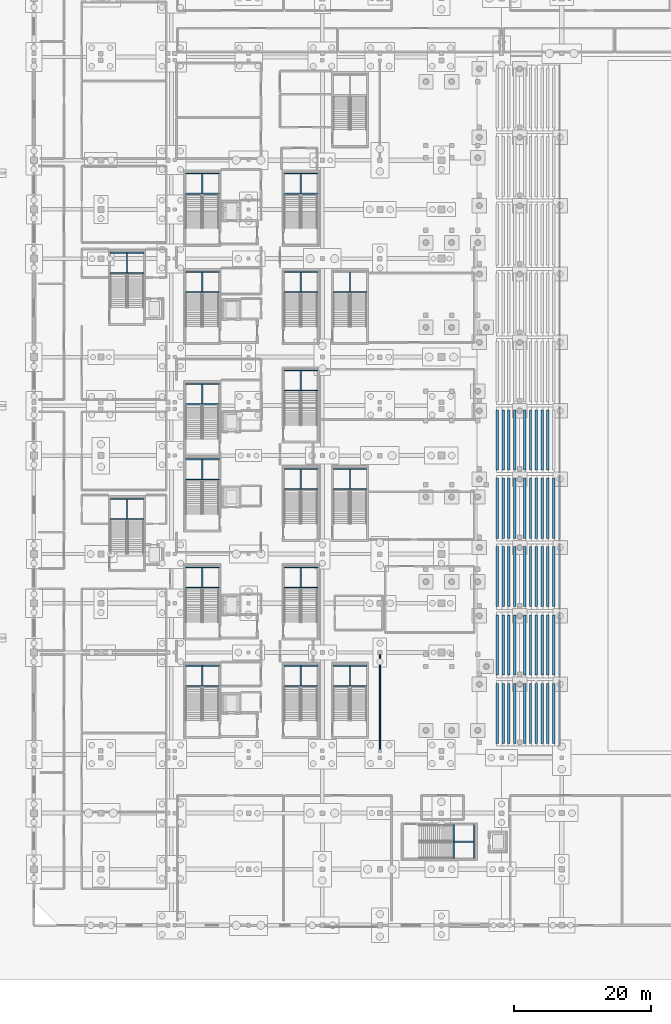
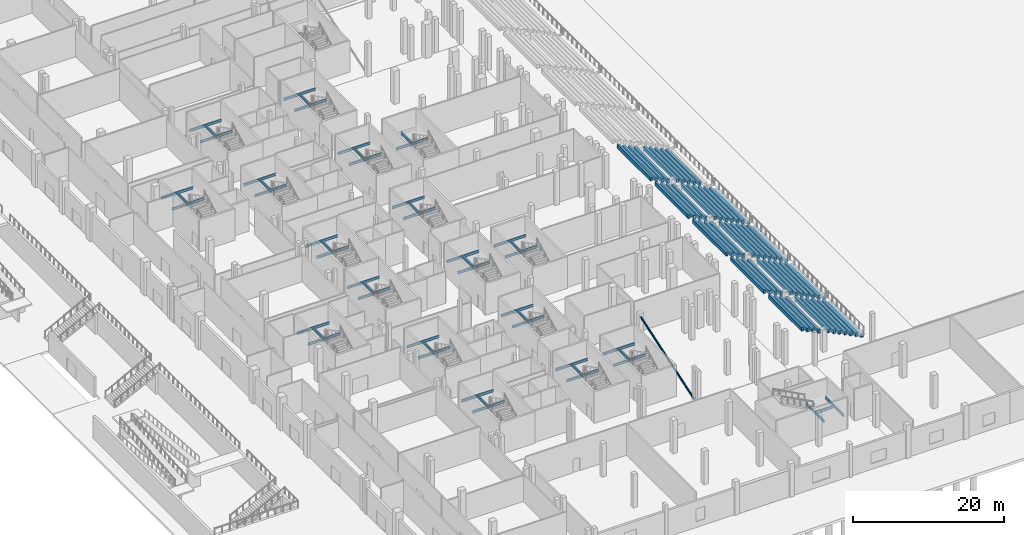
# One storey, part 20 of 89: 106 beams, 1 member.
"""IFC4 building model written with IfcOpenShell, lengths in metres."""

from ifc_helpers import new_model, si_unit, direction, frame, origin, origin_2d, place, context, subcontext, project, spatial, rectangle, hollow_circle, i_section, extrude, material, material_profile, profile_set, type_object, element, save


model = new_model("IFC4")

# Units and contexts
model_context = context("Model", 3, precision=1e-05, world=origin(), true_north=direction((0.0, 1.0)))
body_context = subcontext(model_context, "Body", "Model", "MODEL_VIEW")
ifc_project = project(units=[si_unit("LENGTHUNIT", "METRE"), si_unit("AREAUNIT", "SQUARE_METRE"), si_unit("VOLUMEUNIT", "CUBIC_METRE"), si_unit("PLANEANGLEUNIT", "RADIAN"), si_unit("MASSUNIT", "GRAM", prefix="KILO")], contexts=[model_context])

# Site, building, storey
site_placement = place(None, origin())
site = spatial("IfcSite", under=ifc_project, at=site_placement, CompositionType="ELEMENT")
building_placement = place(site_placement, origin())
building = spatial("IfcBuilding", under=site, at=building_placement, Name="Koshinbarg Plaza Stadium", CompositionType="ELEMENT")
storey_placement = place(building_placement, origin())
storey = spatial("IfcBuildingStorey", under=building, at=storey_placement, Name="L00", CompositionType="ELEMENT", Elevation=0.0)

# Beams
ifc_material_1 = material(Name="Concrete C40/50", Category="concrete")
ifc_material_profile_1 = material_profile(ifc_material_1, rectangle(XDim=0.35009765625, YDim=0.60009765625, at=origin_2d()), Name="RC 350x600")
ifc_profile_set_1 = profile_set([ifc_material_profile_1], Name="Concrete C40/50")
beam_type_1 = type_object("IfcBeamType", Name="BM-RCG-01", PredefinedType="SPANDREL", material=ifc_profile_set_1)
for number, where, z_axis, x_axis, name in (
    (1, (80.8798828125, 26.60009765625, 0.5), (0.0, 1.0, 0.0), (-1.0, 0.0, 0.0), "Lower tier seat bearer LT-W01-R01"),
    (2, (80.030029296875, 26.60009765625, 0.919921875), (0.0, 1.0, 0.0), (-1.0, 0.0, 0.0), "Lower tier seat bearer LT-W01-R02"),
    (3, (79.179931640625, 26.60009765625, 1.340087890625), (0.0, 1.0, 0.0), (-1.0, 0.0, 0.0), "Lower tier seat bearer LT-W01-R03"),
    (4, (78.330078125, 26.60009765625, 1.760009765625), (0.0, 1.0, 0.0), (-1.0, 0.0, 0.0), "Lower tier seat bearer LT-W01-R04"),
    (5, (77.47998046875, 26.60009765625, 2.179931640625), (0.0, 1.0, 0.0), (-1.0, 0.0, 0.0), "Lower tier seat bearer LT-W01-R05"),
    (6, (76.6298828125, 26.60009765625, 2.60009765625), (0.0, 1.0, 0.0), (-1.0, 0.0, 0.0), "Lower tier seat bearer LT-W01-R06"),
    (7, (75.780029296875, 26.60009765625, 3.02001953125), (0.0, 1.0, 0.0), (-1.0, 0.0, 0.0), "Lower tier seat bearer LT-W01-R07"),
    (8, (74.320068359375, 26.60009765625, 3.43994140625), (0.0, 1.0, 0.0), (-1.0, 0.0, 0.0), "Lower tier seat bearer LT-W01-R08"),
    (9, (73.469970703125, 26.60009765625, 3.860107421875), (0.0, 1.0, 0.0), (-1.0, 0.0, 0.0), "Lower tier seat bearer LT-W01-R09"),
    (10, (72.6201171875, 26.60009765625, 4.280029296875), (0.0, 1.0, 0.0), (-1.0, 0.0, 0.0), "Lower tier seat bearer LT-W01-R10"),
    (11, (71.77001953125, 26.60009765625, 4.699951171875), (0.0, 1.0, 0.0), (-1.0, 0.0, 0.0), "Lower tier seat bearer LT-W01-R11"),
    (12, (80.8798828125, 36.60009765625, 0.5), (0.0, 1.0, 0.0), (-1.0, 0.0, 0.0), "Lower tier seat bearer LT-W02-R01"),
    (13, (80.030029296875, 36.60009765625, 0.919921875), (0.0, 1.0, 0.0), (-1.0, 0.0, 0.0), "Lower tier seat bearer LT-W02-R02"),
    (14, (79.179931640625, 36.60009765625, 1.340087890625), (0.0, 1.0, 0.0), (-1.0, 0.0, 0.0), "Lower tier seat bearer LT-W02-R03"),
    (15, (78.330078125, 36.60009765625, 1.760009765625), (0.0, 1.0, 0.0), (-1.0, 0.0, 0.0), "Lower tier seat bearer LT-W02-R04"),
    (16, (77.47998046875, 36.60009765625, 2.179931640625), (0.0, 1.0, 0.0), (-1.0, 0.0, 0.0), "Lower tier seat bearer LT-W02-R05"),
    (17, (76.6298828125, 36.60009765625, 2.60009765625), (0.0, 1.0, 0.0), (-1.0, 0.0, 0.0), "Lower tier seat bearer LT-W02-R06"),
    (18, (75.780029296875, 36.60009765625, 3.02001953125), (0.0, 1.0, 0.0), (-1.0, 0.0, 0.0), "Lower tier seat bearer LT-W02-R07"),
    (19, (74.320068359375, 36.60009765625, 3.43994140625), (0.0, 1.0, 0.0), (-1.0, 0.0, 0.0), "Lower tier seat bearer LT-W02-R08"),
    (20, (73.469970703125, 36.60009765625, 3.860107421875), (0.0, 1.0, 0.0), (-1.0, 0.0, 0.0), "Lower tier seat bearer LT-W02-R09"),
    (21, (72.6201171875, 36.60009765625, 4.280029296875), (0.0, 1.0, 0.0), (-1.0, 0.0, 0.0), "Lower tier seat bearer LT-W02-R10"),
    (22, (71.77001953125, 36.60009765625, 4.699951171875), (0.0, 1.0, 0.0), (-1.0, 0.0, 0.0), "Lower tier seat bearer LT-W02-R11"),
    (23, (80.8798828125, 46.60009765625, 0.5), (0.0, 1.0, 0.0), (-1.0, 0.0, 0.0), "Lower tier seat bearer LT-W03-R01"),
    (24, (80.030029296875, 46.60009765625, 0.919921875), (0.0, 1.0, 0.0), (-1.0, 0.0, 0.0), "Lower tier seat bearer LT-W03-R02"),
    (25, (79.179931640625, 46.60009765625, 1.340087890625), (0.0, 1.0, 0.0), (-1.0, 0.0, 0.0), "Lower tier seat bearer LT-W03-R03"),
    (26, (78.330078125, 46.60009765625, 1.760009765625), (0.0, 1.0, 0.0), (-1.0, 0.0, 0.0), "Lower tier seat bearer LT-W03-R04"),
    (27, (77.47998046875, 46.60009765625, 2.179931640625), (0.0, 1.0, 0.0), (-1.0, 0.0, 0.0), "Lower tier seat bearer LT-W03-R05"),
    (28, (76.6298828125, 46.60009765625, 2.60009765625), (0.0, 1.0, 0.0), (-1.0, 0.0, 0.0), "Lower tier seat bearer LT-W03-R06"),
    (29, (75.780029296875, 46.60009765625, 3.02001953125), (0.0, 1.0, 0.0), (-1.0, 0.0, 0.0), "Lower tier seat bearer LT-W03-R07"),
    (30, (74.320068359375, 46.60009765625, 3.43994140625), (0.0, 1.0, 0.0), (-1.0, 0.0, 0.0), "Lower tier seat bearer LT-W03-R08"),
    (31, (73.469970703125, 46.60009765625, 3.860107421875), (0.0, 1.0, 0.0), (-1.0, 0.0, 0.0), "Lower tier seat bearer LT-W03-R09"),
    (32, (72.6201171875, 46.60009765625, 4.280029296875), (0.0, 1.0, 0.0), (-1.0, 0.0, 0.0), "Lower tier seat bearer LT-W03-R10"),
    (33, (71.77001953125, 46.60009765625, 4.699951171875), (0.0, 1.0, 0.0), (-1.0, 0.0, 0.0), "Lower tier seat bearer LT-W03-R11"),
    (34, (80.8798828125, 56.60009765625, 0.5), (0.0, 1.0, 0.0), (-1.0, 0.0, 0.0), "Lower tier seat bearer LT-W04-R01"),
    (35, (80.030029296875, 56.60009765625, 0.919921875), (0.0, 1.0, 0.0), (-1.0, 0.0, 0.0), "Lower tier seat bearer LT-W04-R02"),
    (36, (79.179931640625, 56.60009765625, 1.340087890625), (0.0, 1.0, 0.0), (-1.0, 0.0, 0.0), "Lower tier seat bearer LT-W04-R03"),
    (37, (78.330078125, 56.60009765625, 1.760009765625), (0.0, 1.0, 0.0), (-1.0, 0.0, 0.0), "Lower tier seat bearer LT-W04-R04"),
    (38, (77.47998046875, 56.60009765625, 2.179931640625), (0.0, 1.0, 0.0), (-1.0, 0.0, 0.0), "Lower tier seat bearer LT-W04-R05"),
    (39, (76.6298828125, 56.60009765625, 2.60009765625), (0.0, 1.0, 0.0), (-1.0, 0.0, 0.0), "Lower tier seat bearer LT-W04-R06"),
    (40, (75.780029296875, 56.60009765625, 3.02001953125), (0.0, 1.0, 0.0), (-1.0, 0.0, 0.0), "Lower tier seat bearer LT-W04-R07"),
    (41, (74.320068359375, 56.60009765625, 3.43994140625), (0.0, 1.0, 0.0), (-1.0, 0.0, 0.0), "Lower tier seat bearer LT-W04-R08"),
    (42, (73.469970703125, 56.60009765625, 3.860107421875), (0.0, 1.0, 0.0), (-1.0, 0.0, 0.0), "Lower tier seat bearer LT-W04-R09"),
    (43, (72.6201171875, 56.60009765625, 4.280029296875), (0.0, 1.0, 0.0), (-1.0, 0.0, 0.0), "Lower tier seat bearer LT-W04-R10"),
    (44, (71.77001953125, 56.60009765625, 4.699951171875), (0.0, 1.0, 0.0), (-1.0, 0.0, 0.0), "Lower tier seat bearer LT-W04-R11"),
    (45, (79.179931640625, 66.60009765625, 1.340087890625), (0.0, 1.0, 0.0), (-1.0, 0.0, 0.0), "Lower tier seat bearer LT-W05-R03"),
    (46, (78.330078125, 66.60009765625, 1.760009765625), (0.0, 1.0, 0.0), (-1.0, 0.0, 0.0), "Lower tier seat bearer LT-W05-R04"),
    (47, (77.47998046875, 66.60009765625, 2.179931640625), (0.0, 1.0, 0.0), (-1.0, 0.0, 0.0), "Lower tier seat bearer LT-W05-R05"),
    (48, (76.6298828125, 66.60009765625, 2.60009765625), (0.0, 1.0, 0.0), (-1.0, 0.0, 0.0), "Lower tier seat bearer LT-W05-R06"),
    (49, (75.780029296875, 66.60009765625, 3.02001953125), (0.0, 1.0, 0.0), (-1.0, 0.0, 0.0), "Lower tier seat bearer LT-W05-R07"),
    (50, (74.320068359375, 66.60009765625, 3.43994140625), (0.0, 1.0, 0.0), (-1.0, 0.0, 0.0), "Lower tier seat bearer LT-W05-R08"),
    (51, (73.469970703125, 66.60009765625, 3.860107421875), (0.0, 1.0, 0.0), (-1.0, 0.0, 0.0), "Lower tier seat bearer LT-W05-R09"),
    (52, (72.6201171875, 66.60009765625, 4.280029296875), (0.0, 1.0, 0.0), (-1.0, 0.0, 0.0), "Lower tier seat bearer LT-W05-R10"),
    (53, (71.77001953125, 66.60009765625, 4.699951171875), (0.0, 1.0, 0.0), (-1.0, 0.0, 0.0), "Lower tier seat bearer LT-W05-R11"),
):
    element("IfcBeam", number, at=place(storey_placement, frame(where, z_axis=z_axis, x_axis=x_axis)), inside=storey, type_object=beam_type_1, Name=name, PredefinedType="SPANDREL", context=body_context, shape_type="SweptSolid", body=[
        extrude(rectangle(XDim=0.35009765625, YDim=0.60009765625, at=origin_2d()), origin(), (0.0, 0.0, 1.0), 8.7998046875),
    ])
ifc_material_2 = material(Name="Steel S355", Category="steel")
ifc_material_profile_2 = material_profile(ifc_material_2, i_section(OverallWidth=0.179931640625, OverallDepth=0.39990234375, WebThickness=0.008544921875, FlangeThickness=0.013427734375, at=origin_2d()), Name="IPE 400")
ifc_profile_set_2 = profile_set([ifc_material_profile_2], Name="Steel S355")
beam_type_2 = type_object("IfcBeamType", Name="BM-SBM-01", PredefinedType="BEAM", material=ifc_profile_set_2)
for number, where, z_axis, x_axis, name in (
    (54, (26.14990234375, 35.010009765625, 2.179931640625), (1.0, 0.0, 0.0), (0.0, 1.0, 0.0), "L00 Protected Exit Stair C01 landing trimmer beam 1"),
    (55, (26.14990234375, 37.949951171875, 2.179931640625), (1.0, 0.0, 0.0), (0.0, 1.0, 0.0), "L00 Protected Exit Stair C01 landing trimmer beam 2"),
):
    element("IfcBeam", number, at=place(storey_placement, frame(where, z_axis=z_axis, x_axis=x_axis)), inside=storey, type_object=beam_type_2, Name=name, PredefinedType="BEAM", context=body_context, shape_type="SweptSolid", body=[
        extrude(i_section(OverallWidth=0.179931640625, OverallDepth=0.39990234375, WebThickness=0.008544921875, FlangeThickness=0.013427734375, at=origin_2d()), origin(), (0.0, 0.0, 1.0), 4.97021484375),
    ])
beam_1_placement = place(storey_placement, frame((28.635009765625, 35.010009765625, 2.179931640625), z_axis=(0.0, 1.0, 0.0), x_axis=(-1.0, 0.0, 0.0)))
element("IfcBeam", 56, at=beam_1_placement, inside=storey, type_object=beam_type_2, Name="L00 Protected Exit Stair C01 landing trimmer beam 3", PredefinedType="BEAM", context=body_context, shape_type="SweptSolid", body=[
    extrude(i_section(OverallWidth=0.179931640625, OverallDepth=0.39990234375, WebThickness=0.008544921875, FlangeThickness=0.013427734375, at=origin_2d()), origin(), (0.0, 0.0, 1.0), 2.93994140625),
])
for number, where, z_axis, x_axis, name in (
    (57, (26.14990234375, 49.409912109375, 2.179931640625), (1.0, 0.0, 0.0), (0.0, 1.0, 0.0), "L00 Protected Exit Stair C02 landing trimmer beam 1"),
    (58, (26.14990234375, 52.35009765625, 2.179931640625), (1.0, 0.0, 0.0), (0.0, 1.0, 0.0), "L00 Protected Exit Stair C02 landing trimmer beam 2"),
):
    element("IfcBeam", number, at=place(storey_placement, frame(where, z_axis=z_axis, x_axis=x_axis)), inside=storey, type_object=beam_type_2, Name=name, PredefinedType="BEAM", context=body_context, shape_type="SweptSolid", body=[
        extrude(i_section(OverallWidth=0.179931640625, OverallDepth=0.39990234375, WebThickness=0.008544921875, FlangeThickness=0.013427734375, at=origin_2d()), origin(), (0.0, 0.0, 1.0), 4.97021484375),
    ])
beam_2_placement = place(storey_placement, frame((28.635009765625, 49.409912109375, 2.179931640625), z_axis=(0.0, 1.0, 0.0), x_axis=(-1.0, 0.0, 0.0)))
element("IfcBeam", 59, at=beam_2_placement, inside=storey, type_object=beam_type_2, Name="L00 Protected Exit Stair C02 landing trimmer beam 3", PredefinedType="BEAM", context=body_context, shape_type="SweptSolid", body=[
    extrude(i_section(OverallWidth=0.179931640625, OverallDepth=0.39990234375, WebThickness=0.008544921875, FlangeThickness=0.013427734375, at=origin_2d()), origin(), (0.0, 0.0, 1.0), 2.940185546875),
])
for number, where, z_axis, x_axis, name in (
    (60, (26.14990234375, 65.2099609375, 2.179931640625), (1.0, 0.0, 0.0), (0.0, 1.0, 0.0), "L00 Protected Exit Stair C03 landing trimmer beam 1"),
    (61, (26.14990234375, 68.14990234375, 2.179931640625), (1.0, 0.0, 0.0), (0.0, 1.0, 0.0), "L00 Protected Exit Stair C03 landing trimmer beam 2"),
):
    element("IfcBeam", number, at=place(storey_placement, frame(where, z_axis=z_axis, x_axis=x_axis)), inside=storey, type_object=beam_type_2, Name=name, PredefinedType="BEAM", context=body_context, shape_type="SweptSolid", body=[
        extrude(i_section(OverallWidth=0.179931640625, OverallDepth=0.39990234375, WebThickness=0.008544921875, FlangeThickness=0.013427734375, at=origin_2d()), origin(), (0.0, 0.0, 1.0), 4.97021484375),
    ])
beam_3_placement = place(storey_placement, frame((28.635009765625, 65.2099609375, 2.179931640625), z_axis=(0.0, 1.0, 0.0), x_axis=(-1.0, 0.0, 0.0)))
element("IfcBeam", 62, at=beam_3_placement, inside=storey, type_object=beam_type_2, Name="L00 Protected Exit Stair C03 landing trimmer beam 3", PredefinedType="BEAM", context=body_context, shape_type="SweptSolid", body=[
    extrude(i_section(OverallWidth=0.179931640625, OverallDepth=0.39990234375, WebThickness=0.008544921875, FlangeThickness=0.013427734375, at=origin_2d()), origin(), (0.0, 0.0, 1.0), 2.93994140625),
])
for number, where, z_axis, x_axis, name in (
    (63, (26.14990234375, 76.2099609375, 2.179931640625), (1.0, 0.0, 0.0), (0.0, 1.0, 0.0), "L00 Protected Exit Stair C04 landing trimmer beam 1"),
    (64, (26.14990234375, 79.14990234375, 2.179931640625), (1.0, 0.0, 0.0), (0.0, 1.0, 0.0), "L00 Protected Exit Stair C04 landing trimmer beam 2"),
):
    element("IfcBeam", number, at=place(storey_placement, frame(where, z_axis=z_axis, x_axis=x_axis)), inside=storey, type_object=beam_type_2, Name=name, PredefinedType="BEAM", context=body_context, shape_type="SweptSolid", body=[
        extrude(i_section(OverallWidth=0.179931640625, OverallDepth=0.39990234375, WebThickness=0.008544921875, FlangeThickness=0.013427734375, at=origin_2d()), origin(), (0.0, 0.0, 1.0), 4.97021484375),
    ])
beam_4_placement = place(storey_placement, frame((28.635009765625, 76.2099609375, 2.179931640625), z_axis=(0.0, 1.0, 0.0), x_axis=(-1.0, 0.0, 0.0)))
element("IfcBeam", 65, at=beam_4_placement, inside=storey, type_object=beam_type_2, Name="L00 Protected Exit Stair C04 landing trimmer beam 3", PredefinedType="BEAM", context=body_context, shape_type="SweptSolid", body=[
    extrude(i_section(OverallWidth=0.179931640625, OverallDepth=0.39990234375, WebThickness=0.008544921875, FlangeThickness=0.013427734375, at=origin_2d()), origin(), (0.0, 0.0, 1.0), 2.93994140625),
])
for number, where, z_axis, x_axis, name in (
    (66, (26.14990234375, 92.610107421875, 2.179931640625), (1.0, 0.0, 0.0), (0.0, 1.0, 0.0), "L00 Protected Exit Stair C05 landing trimmer beam 1"),
    (67, (26.14990234375, 95.550048828125, 2.179931640625), (1.0, 0.0, 0.0), (0.0, 1.0, 0.0), "L00 Protected Exit Stair C05 landing trimmer beam 2"),
):
    element("IfcBeam", number, at=place(storey_placement, frame(where, z_axis=z_axis, x_axis=x_axis)), inside=storey, type_object=beam_type_2, Name=name, PredefinedType="BEAM", context=body_context, shape_type="SweptSolid", body=[
        extrude(i_section(OverallWidth=0.179931640625, OverallDepth=0.39990234375, WebThickness=0.008544921875, FlangeThickness=0.013427734375, at=origin_2d()), origin(), (0.0, 0.0, 1.0), 4.97021484375),
    ])
beam_5_placement = place(storey_placement, frame((28.635009765625, 92.610107421875, 2.179931640625), z_axis=(0.0, 1.0, 0.0), x_axis=(-1.0, 0.0, 0.0)))
element("IfcBeam", 68, at=beam_5_placement, inside=storey, type_object=beam_type_2, Name="L00 Protected Exit Stair C05 landing trimmer beam 3", PredefinedType="BEAM", context=body_context, shape_type="SweptSolid", body=[
    extrude(i_section(OverallWidth=0.179931640625, OverallDepth=0.39990234375, WebThickness=0.008544921875, FlangeThickness=0.013427734375, at=origin_2d()), origin(), (0.0, 0.0, 1.0), 2.93994140625),
])
for number, where, z_axis, x_axis, name in (
    (69, (26.14990234375, 107.010009765625, 2.179931640625), (1.0, 0.0, 0.0), (0.0, 1.0, 0.0), "L00 Protected Exit Stair C06 landing trimmer beam 1"),
    (70, (26.14990234375, 109.949951171875, 2.179931640625), (1.0, 0.0, 0.0), (0.0, 1.0, 0.0), "L00 Protected Exit Stair C06 landing trimmer beam 2"),
):
    element("IfcBeam", number, at=place(storey_placement, frame(where, z_axis=z_axis, x_axis=x_axis)), inside=storey, type_object=beam_type_2, Name=name, PredefinedType="BEAM", context=body_context, shape_type="SweptSolid", body=[
        extrude(i_section(OverallWidth=0.179931640625, OverallDepth=0.39990234375, WebThickness=0.008544921875, FlangeThickness=0.013427734375, at=origin_2d()), origin(), (0.0, 0.0, 1.0), 4.97021484375),
    ])
beam_6_placement = place(storey_placement, frame((28.635009765625, 107.010009765625, 2.179931640625), z_axis=(0.0, 1.0, 0.0), x_axis=(-1.0, 0.0, 0.0)))
element("IfcBeam", 71, at=beam_6_placement, inside=storey, type_object=beam_type_2, Name="L00 Protected Exit Stair C06 landing trimmer beam 3", PredefinedType="BEAM", context=body_context, shape_type="SweptSolid", body=[
    extrude(i_section(OverallWidth=0.179931640625, OverallDepth=0.39990234375, WebThickness=0.008544921875, FlangeThickness=0.013427734375, at=origin_2d()), origin(), (0.0, 0.0, 1.0), 2.93994140625),
])
for number, where, z_axis, x_axis, name in (
    (72, (65.409912109375, 9.75, 2.179931640625), (0.0, 1.0, 0.0), (-1.0, 0.0, 0.0), "L00 Protected Exit Stair C13 landing trimmer beam 1"),
    (73, (68.35009765625, 9.75, 2.179931640625), (0.0, 1.0, 0.0), (-1.0, 0.0, 0.0), "L00 Protected Exit Stair C13 landing trimmer beam 2"),
):
    element("IfcBeam", number, at=place(storey_placement, frame(where, z_axis=z_axis, x_axis=x_axis)), inside=storey, type_object=beam_type_2, Name=name, PredefinedType="BEAM", context=body_context, shape_type="SweptSolid", body=[
        extrude(i_section(OverallWidth=0.179931640625, OverallDepth=0.39990234375, WebThickness=0.008544921875, FlangeThickness=0.013427734375, at=origin_2d()), origin(), (0.0, 0.0, 1.0), 4.969970703125),
    ])
beam_7_placement = place(storey_placement, frame((65.409912109375, 12.235107421875, 2.179931640625), z_axis=(1.0, 0.0, 0.0), x_axis=(0.0, 1.0, 0.0)))
element("IfcBeam", 74, at=beam_7_placement, inside=storey, type_object=beam_type_2, Name="L00 Protected Exit Stair C13 landing trimmer beam 3", PredefinedType="BEAM", context=body_context, shape_type="SweptSolid", body=[
    extrude(i_section(OverallWidth=0.179931640625, OverallDepth=0.39990234375, WebThickness=0.008544921875, FlangeThickness=0.013427734375, at=origin_2d()), origin(), (0.0, 0.0, 1.0), 2.940185546875),
])
for number, where, z_axis, x_axis, name in (
    (75, (15.14990234375, 95.409912109375, 2.179931640625), (1.0, 0.0, 0.0), (0.0, 1.0, 0.0), "L00 Protected Exit Stair C15 landing trimmer beam 1"),
    (76, (15.14990234375, 98.35009765625, 2.179931640625), (1.0, 0.0, 0.0), (0.0, 1.0, 0.0), "L00 Protected Exit Stair C15 landing trimmer beam 2"),
):
    element("IfcBeam", number, at=place(storey_placement, frame(where, z_axis=z_axis, x_axis=x_axis)), inside=storey, type_object=beam_type_2, Name=name, PredefinedType="BEAM", context=body_context, shape_type="SweptSolid", body=[
        extrude(i_section(OverallWidth=0.179931640625, OverallDepth=0.39990234375, WebThickness=0.008544921875, FlangeThickness=0.013427734375, at=origin_2d()), origin(), (0.0, 0.0, 1.0), 4.97021484375),
    ])
beam_8_placement = place(storey_placement, frame((17.635009765625, 95.409912109375, 2.179931640625), z_axis=(0.0, 1.0, 0.0), x_axis=(-1.0, 0.0, 0.0)))
element("IfcBeam", 77, at=beam_8_placement, inside=storey, type_object=beam_type_2, Name="L00 Protected Exit Stair C15 landing trimmer beam 3", PredefinedType="BEAM", context=body_context, shape_type="SweptSolid", body=[
    extrude(i_section(OverallWidth=0.179931640625, OverallDepth=0.39990234375, WebThickness=0.008544921875, FlangeThickness=0.013427734375, at=origin_2d()), origin(), (0.0, 0.0, 1.0), 2.940185546875),
])
for number, where, z_axis, x_axis, name in (
    (78, (15.14990234375, 59.409912109375, 2.179931640625), (1.0, 0.0, 0.0), (0.0, 1.0, 0.0), "L00 Protected Exit Stair C16 landing trimmer beam 1"),
    (79, (15.14990234375, 62.35009765625, 2.179931640625), (1.0, 0.0, 0.0), (0.0, 1.0, 0.0), "L00 Protected Exit Stair C16 landing trimmer beam 2"),
):
    element("IfcBeam", number, at=place(storey_placement, frame(where, z_axis=z_axis, x_axis=x_axis)), inside=storey, type_object=beam_type_2, Name=name, PredefinedType="BEAM", context=body_context, shape_type="SweptSolid", body=[
        extrude(i_section(OverallWidth=0.179931640625, OverallDepth=0.39990234375, WebThickness=0.008544921875, FlangeThickness=0.013427734375, at=origin_2d()), origin(), (0.0, 0.0, 1.0), 4.97021484375),
    ])
beam_9_placement = place(storey_placement, frame((17.635009765625, 59.409912109375, 2.179931640625), z_axis=(0.0, 1.0, 0.0), x_axis=(-1.0, 0.0, 0.0)))
element("IfcBeam", 80, at=beam_9_placement, inside=storey, type_object=beam_type_2, Name="L00 Protected Exit Stair C16 landing trimmer beam 3", PredefinedType="BEAM", context=body_context, shape_type="SweptSolid", body=[
    extrude(i_section(OverallWidth=0.179931640625, OverallDepth=0.39990234375, WebThickness=0.008544921875, FlangeThickness=0.013427734375, at=origin_2d()), origin(), (0.0, 0.0, 1.0), 2.940185546875),
])
for number, where, z_axis, x_axis, name in (
    (81, (40.550048828125, 35.010009765625, 2.179931640625), (1.0, 0.0, 0.0), (0.0, 1.0, 0.0), "L00 Upper Vomitory Stair VX01 landing trimmer beam 1"),
    (82, (40.550048828125, 37.949951171875, 2.179931640625), (1.0, 0.0, 0.0), (0.0, 1.0, 0.0), "L00 Upper Vomitory Stair VX01 landing trimmer beam 2"),
):
    element("IfcBeam", number, at=place(storey_placement, frame(where, z_axis=z_axis, x_axis=x_axis)), inside=storey, type_object=beam_type_2, Name=name, PredefinedType="BEAM", context=body_context, shape_type="SweptSolid", body=[
        extrude(i_section(OverallWidth=0.179931640625, OverallDepth=0.39990234375, WebThickness=0.008544921875, FlangeThickness=0.013427734375, at=origin_2d()), origin(), (0.0, 0.0, 1.0), 4.969970703125),
    ])
beam_10_placement = place(storey_placement, frame((43.034912109375, 35.010009765625, 2.179931640625), z_axis=(0.0, 1.0, 0.0), x_axis=(-1.0, 0.0, 0.0)))
element("IfcBeam", 83, at=beam_10_placement, inside=storey, type_object=beam_type_2, Name="L00 Upper Vomitory Stair VX01 landing trimmer beam 3", PredefinedType="BEAM", context=body_context, shape_type="SweptSolid", body=[
    extrude(i_section(OverallWidth=0.179931640625, OverallDepth=0.39990234375, WebThickness=0.008544921875, FlangeThickness=0.013427734375, at=origin_2d()), origin(), (0.0, 0.0, 1.0), 2.93994140625),
])
for number, where, z_axis, x_axis, name in (
    (84, (40.550048828125, 49.409912109375, 2.179931640625), (1.0, 0.0, 0.0), (0.0, 1.0, 0.0), "L00 Upper Vomitory Stair VX02 landing trimmer beam 1"),
    (85, (40.550048828125, 52.35009765625, 2.179931640625), (1.0, 0.0, 0.0), (0.0, 1.0, 0.0), "L00 Upper Vomitory Stair VX02 landing trimmer beam 2"),
):
    element("IfcBeam", number, at=place(storey_placement, frame(where, z_axis=z_axis, x_axis=x_axis)), inside=storey, type_object=beam_type_2, Name=name, PredefinedType="BEAM", context=body_context, shape_type="SweptSolid", body=[
        extrude(i_section(OverallWidth=0.179931640625, OverallDepth=0.39990234375, WebThickness=0.008544921875, FlangeThickness=0.013427734375, at=origin_2d()), origin(), (0.0, 0.0, 1.0), 4.969970703125),
    ])
beam_11_placement = place(storey_placement, frame((43.034912109375, 49.409912109375, 2.179931640625), z_axis=(0.0, 1.0, 0.0), x_axis=(-1.0, 0.0, 0.0)))
element("IfcBeam", 86, at=beam_11_placement, inside=storey, type_object=beam_type_2, Name="L00 Upper Vomitory Stair VX02 landing trimmer beam 3", PredefinedType="BEAM", context=body_context, shape_type="SweptSolid", body=[
    extrude(i_section(OverallWidth=0.179931640625, OverallDepth=0.39990234375, WebThickness=0.008544921875, FlangeThickness=0.013427734375, at=origin_2d()), origin(), (0.0, 0.0, 1.0), 2.940185546875),
])
for number, where, z_axis, x_axis, name in (
    (87, (40.550048828125, 63.81005859375, 2.179931640625), (1.0, 0.0, 0.0), (0.0, 1.0, 0.0), "L00 Upper Vomitory Stair VX03 landing trimmer beam 1"),
    (88, (40.550048828125, 66.75, 2.179931640625), (1.0, 0.0, 0.0), (0.0, 1.0, 0.0), "L00 Upper Vomitory Stair VX03 landing trimmer beam 2"),
):
    element("IfcBeam", number, at=place(storey_placement, frame(where, z_axis=z_axis, x_axis=x_axis)), inside=storey, type_object=beam_type_2, Name=name, PredefinedType="BEAM", context=body_context, shape_type="SweptSolid", body=[
        extrude(i_section(OverallWidth=0.179931640625, OverallDepth=0.39990234375, WebThickness=0.008544921875, FlangeThickness=0.013427734375, at=origin_2d()), origin(), (0.0, 0.0, 1.0), 4.969970703125),
    ])
beam_12_placement = place(storey_placement, frame((43.034912109375, 63.81005859375, 2.179931640625), z_axis=(0.0, 1.0, 0.0), x_axis=(-1.0, 0.0, 0.0)))
element("IfcBeam", 89, at=beam_12_placement, inside=storey, type_object=beam_type_2, Name="L00 Upper Vomitory Stair VX03 landing trimmer beam 3", PredefinedType="BEAM", context=body_context, shape_type="SweptSolid", body=[
    extrude(i_section(OverallWidth=0.179931640625, OverallDepth=0.39990234375, WebThickness=0.008544921875, FlangeThickness=0.013427734375, at=origin_2d()), origin(), (0.0, 0.0, 1.0), 2.93994140625),
])
for number, where, z_axis, x_axis, name in (
    (90, (40.550048828125, 78.2099609375, 2.179931640625), (1.0, 0.0, 0.0), (0.0, 1.0, 0.0), "L00 Upper Vomitory Stair VX04 landing trimmer beam 1"),
    (91, (40.550048828125, 81.14990234375, 2.179931640625), (1.0, 0.0, 0.0), (0.0, 1.0, 0.0), "L00 Upper Vomitory Stair VX04 landing trimmer beam 2"),
):
    element("IfcBeam", number, at=place(storey_placement, frame(where, z_axis=z_axis, x_axis=x_axis)), inside=storey, type_object=beam_type_2, Name=name, PredefinedType="BEAM", context=body_context, shape_type="SweptSolid", body=[
        extrude(i_section(OverallWidth=0.179931640625, OverallDepth=0.39990234375, WebThickness=0.008544921875, FlangeThickness=0.013427734375, at=origin_2d()), origin(), (0.0, 0.0, 1.0), 4.969970703125),
    ])
beam_13_placement = place(storey_placement, frame((43.034912109375, 78.2099609375, 2.179931640625), z_axis=(0.0, 1.0, 0.0), x_axis=(-1.0, 0.0, 0.0)))
element("IfcBeam", 92, at=beam_13_placement, inside=storey, type_object=beam_type_2, Name="L00 Upper Vomitory Stair VX04 landing trimmer beam 3", PredefinedType="BEAM", context=body_context, shape_type="SweptSolid", body=[
    extrude(i_section(OverallWidth=0.179931640625, OverallDepth=0.39990234375, WebThickness=0.008544921875, FlangeThickness=0.013427734375, at=origin_2d()), origin(), (0.0, 0.0, 1.0), 2.93994140625),
])
for number, where, z_axis, x_axis, name in (
    (93, (40.550048828125, 92.610107421875, 2.179931640625), (1.0, 0.0, 0.0), (0.0, 1.0, 0.0), "L00 Upper Vomitory Stair VX05 landing trimmer beam 1"),
    (94, (40.550048828125, 95.550048828125, 2.179931640625), (1.0, 0.0, 0.0), (0.0, 1.0, 0.0), "L00 Upper Vomitory Stair VX05 landing trimmer beam 2"),
):
    element("IfcBeam", number, at=place(storey_placement, frame(where, z_axis=z_axis, x_axis=x_axis)), inside=storey, type_object=beam_type_2, Name=name, PredefinedType="BEAM", context=body_context, shape_type="SweptSolid", body=[
        extrude(i_section(OverallWidth=0.179931640625, OverallDepth=0.39990234375, WebThickness=0.008544921875, FlangeThickness=0.013427734375, at=origin_2d()), origin(), (0.0, 0.0, 1.0), 4.969970703125),
    ])
beam_14_placement = place(storey_placement, frame((43.034912109375, 92.610107421875, 2.179931640625), z_axis=(0.0, 1.0, 0.0), x_axis=(-1.0, 0.0, 0.0)))
element("IfcBeam", 95, at=beam_14_placement, inside=storey, type_object=beam_type_2, Name="L00 Upper Vomitory Stair VX05 landing trimmer beam 3", PredefinedType="BEAM", context=body_context, shape_type="SweptSolid", body=[
    extrude(i_section(OverallWidth=0.179931640625, OverallDepth=0.39990234375, WebThickness=0.008544921875, FlangeThickness=0.013427734375, at=origin_2d()), origin(), (0.0, 0.0, 1.0), 2.93994140625),
])
for number, where, z_axis, x_axis, name in (
    (96, (40.550048828125, 107.010009765625, 2.179931640625), (1.0, 0.0, 0.0), (0.0, 1.0, 0.0), "L00 Upper Vomitory Stair VX06 landing trimmer beam 1"),
    (97, (40.550048828125, 109.949951171875, 2.179931640625), (1.0, 0.0, 0.0), (0.0, 1.0, 0.0), "L00 Upper Vomitory Stair VX06 landing trimmer beam 2"),
):
    element("IfcBeam", number, at=place(storey_placement, frame(where, z_axis=z_axis, x_axis=x_axis)), inside=storey, type_object=beam_type_2, Name=name, PredefinedType="BEAM", context=body_context, shape_type="SweptSolid", body=[
        extrude(i_section(OverallWidth=0.179931640625, OverallDepth=0.39990234375, WebThickness=0.008544921875, FlangeThickness=0.013427734375, at=origin_2d()), origin(), (0.0, 0.0, 1.0), 4.969970703125),
    ])
beam_15_placement = place(storey_placement, frame((43.034912109375, 107.010009765625, 2.179931640625), z_axis=(0.0, 1.0, 0.0), x_axis=(-1.0, 0.0, 0.0)))
element("IfcBeam", 98, at=beam_15_placement, inside=storey, type_object=beam_type_2, Name="L00 Upper Vomitory Stair VX06 landing trimmer beam 3", PredefinedType="BEAM", context=body_context, shape_type="SweptSolid", body=[
    extrude(i_section(OverallWidth=0.179931640625, OverallDepth=0.39990234375, WebThickness=0.008544921875, FlangeThickness=0.013427734375, at=origin_2d()), origin(), (0.0, 0.0, 1.0), 2.93994140625),
])
for number, where, z_axis, x_axis, name in (
    (99, (47.75, 35.010009765625, 2.179931640625), (1.0, 0.0, 0.0), (0.0, 1.0, 0.0), "L00 Lower Vomitory Stair VL01 landing trimmer beam 1"),
    (100, (47.75, 37.949951171875, 2.179931640625), (1.0, 0.0, 0.0), (0.0, 1.0, 0.0), "L00 Lower Vomitory Stair VL01 landing trimmer beam 2"),
):
    element("IfcBeam", number, at=place(storey_placement, frame(where, z_axis=z_axis, x_axis=x_axis)), inside=storey, type_object=beam_type_2, Name=name, PredefinedType="BEAM", context=body_context, shape_type="SweptSolid", body=[
        extrude(i_section(OverallWidth=0.179931640625, OverallDepth=0.39990234375, WebThickness=0.008544921875, FlangeThickness=0.013427734375, at=origin_2d()), origin(), (0.0, 0.0, 1.0), 4.969970703125),
    ])
beam_16_placement = place(storey_placement, frame((50.235107421875, 35.010009765625, 2.179931640625), z_axis=(0.0, 1.0, 0.0), x_axis=(-1.0, 0.0, 0.0)))
element("IfcBeam", 101, at=beam_16_placement, inside=storey, type_object=beam_type_2, Name="L00 Lower Vomitory Stair VL01 landing trimmer beam 3", PredefinedType="BEAM", context=body_context, shape_type="SweptSolid", body=[
    extrude(i_section(OverallWidth=0.179931640625, OverallDepth=0.39990234375, WebThickness=0.008544921875, FlangeThickness=0.013427734375, at=origin_2d()), origin(), (0.0, 0.0, 1.0), 2.93994140625),
])
for number, where, z_axis, x_axis, name in (
    (102, (47.75, 63.81005859375, 2.179931640625), (1.0, 0.0, 0.0), (0.0, 1.0, 0.0), "L00 Lower Vomitory Stair VL02 landing trimmer beam 1"),
    (103, (47.75, 66.75, 2.179931640625), (1.0, 0.0, 0.0), (0.0, 1.0, 0.0), "L00 Lower Vomitory Stair VL02 landing trimmer beam 2"),
):
    element("IfcBeam", number, at=place(storey_placement, frame(where, z_axis=z_axis, x_axis=x_axis)), inside=storey, type_object=beam_type_2, Name=name, PredefinedType="BEAM", context=body_context, shape_type="SweptSolid", body=[
        extrude(i_section(OverallWidth=0.179931640625, OverallDepth=0.39990234375, WebThickness=0.008544921875, FlangeThickness=0.013427734375, at=origin_2d()), origin(), (0.0, 0.0, 1.0), 4.969970703125),
    ])
beam_17_placement = place(storey_placement, frame((50.235107421875, 63.81005859375, 2.179931640625), z_axis=(0.0, 1.0, 0.0), x_axis=(-1.0, 0.0, 0.0)))
element("IfcBeam", 104, at=beam_17_placement, inside=storey, type_object=beam_type_2, Name="L00 Lower Vomitory Stair VL02 landing trimmer beam 3", PredefinedType="BEAM", context=body_context, shape_type="SweptSolid", body=[
    extrude(i_section(OverallWidth=0.179931640625, OverallDepth=0.39990234375, WebThickness=0.008544921875, FlangeThickness=0.013427734375, at=origin_2d()), origin(), (0.0, 0.0, 1.0), 2.93994140625),
])
beam_18_placement = place(storey_placement, frame((47.75, 92.610107421875, 2.179931640625), z_axis=(1.0, 0.0, 0.0), x_axis=(0.0, 1.0, 0.0)))
element("IfcBeam", 105, at=beam_18_placement, inside=storey, type_object=beam_type_2, Name="L00 Lower Vomitory Stair VL03 landing trimmer beam 1", PredefinedType="BEAM", context=body_context, shape_type="SweptSolid", body=[
    extrude(i_section(OverallWidth=0.179931640625, OverallDepth=0.39990234375, WebThickness=0.008544921875, FlangeThickness=0.013427734375, at=origin_2d()), origin(), (0.0, 0.0, 1.0), 4.969970703125),
])
beam_19_placement = place(storey_placement, frame((50.235107421875, 92.610107421875, 2.179931640625), z_axis=(0.0, 1.0, 0.0), x_axis=(-1.0, 0.0, 0.0)))
element("IfcBeam", 106, at=beam_19_placement, inside=storey, type_object=beam_type_2, Name="L00 Lower Vomitory Stair VL03 landing trimmer beam 3", PredefinedType="BEAM", context=body_context, shape_type="SweptSolid", body=[
    extrude(i_section(OverallWidth=0.179931640625, OverallDepth=0.39990234375, WebThickness=0.008544921875, FlangeThickness=0.013427734375, at=origin_2d()), origin(), (0.0, 0.0, 1.0), 2.93994140625),
])

# Member
ifc_material_profile_3 = material_profile(ifc_material_2, hollow_circle(Radius=0.136474609375, WallThickness=0.012451171875, at=origin_2d()), Name="CHS 273x12.5")
ifc_profile_set_3 = profile_set([ifc_material_profile_3], Name="Steel S355")
member_type = type_object("IfcMemberType", Name="MB-BRACE-02", PredefinedType="BRACE", material=ifc_profile_set_3)
member_placement = place(storey_placement, frame((54.60009765625, 25.580078125, 0.050048828125), z_axis=(0.0, 0.948616595525, 0.316427803291), x_axis=(-1.0, 0.0, 0.0)))
element("IfcMember", 107, at=member_placement, inside=storey, type_object=member_type, Name="L00 lateral frame brace 1", PredefinedType="BRACE", context=body_context, shape_type="SweptSolid", body=[
    extrude(hollow_circle(Radius=0.136474609375, WallThickness=0.012451171875, at=origin_2d()), origin(), (0.0, 0.0, 1.0), 15.01123046875),
])

save(model, "model.ifc")
